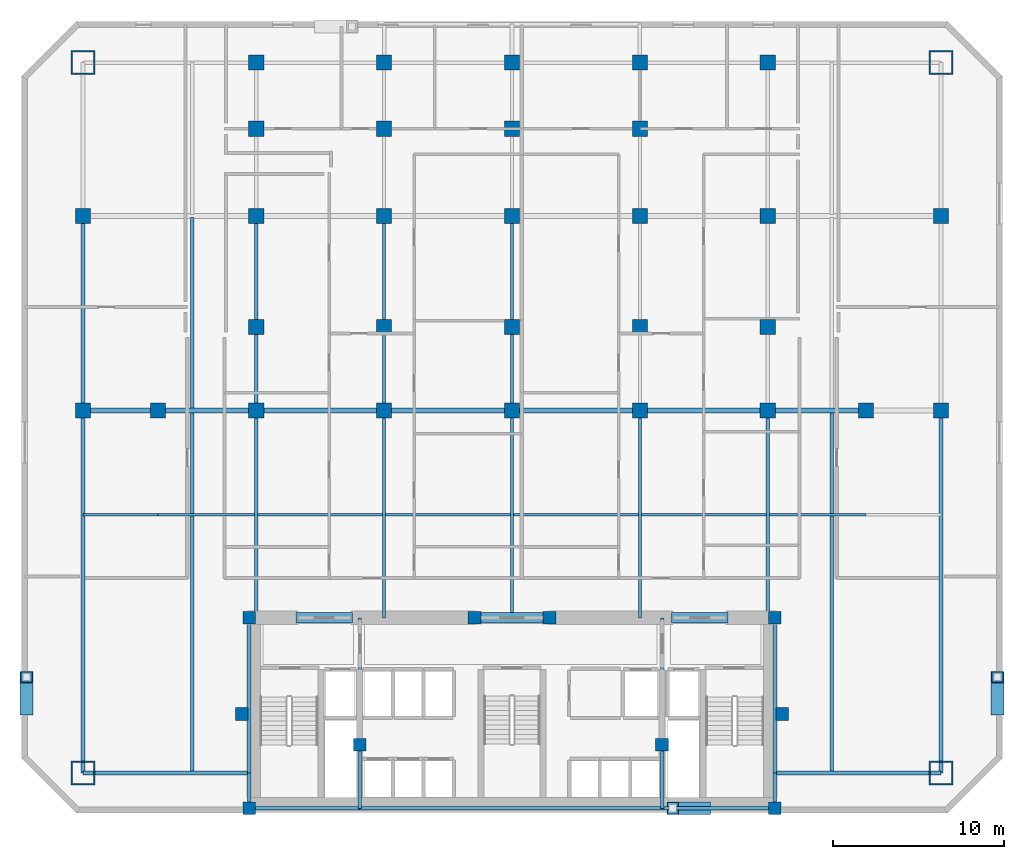
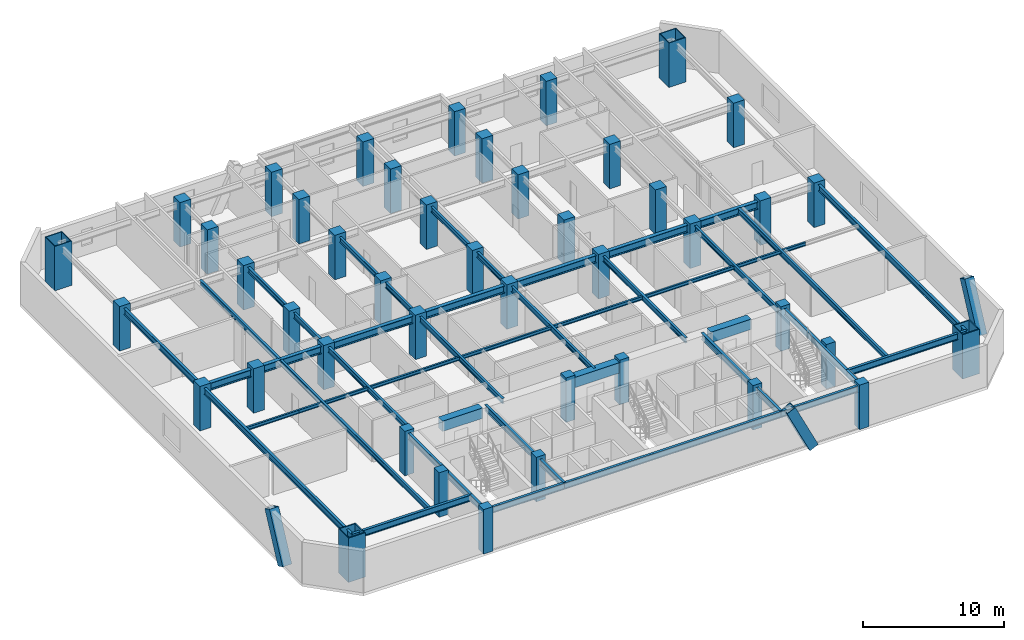
# One storey, part 1 of 8: 44 beams, 44 columns, 3 members.
"""IFC4 building model written with IfcOpenShell, lengths in metres."""

from ifc_helpers import new_model, si_unit, direction, frame, origin, origin_2d, place, context, subcontext, project, spatial, rectangle, hollow_rectangle, i_section, extrude, material, material_profile, profile_set, type_object, element, save


model = new_model("IFC4")

# Units and contexts
model_context = context("Model", 3, precision=1e-05, world=origin(), true_north=direction((0.0, 1.0)))
body_context = subcontext(model_context, "Body", "Model", "MODEL_VIEW")
ifc_project = project(units=[si_unit("LENGTHUNIT", "METRE"), si_unit("AREAUNIT", "SQUARE_METRE"), si_unit("VOLUMEUNIT", "CUBIC_METRE"), si_unit("PLANEANGLEUNIT", "RADIAN"), si_unit("MASSUNIT", "GRAM", prefix="KILO")], contexts=[model_context])

# Site, building, storey
site_placement = place(None, origin())
site = spatial("IfcSite", under=ifc_project, at=site_placement, CompositionType="ELEMENT")
building_placement = place(site_placement, origin())
building = spatial("IfcBuilding", under=site, at=building_placement, Name="Ventersveld Concourse Tower", CompositionType="ELEMENT")
storey_placement = place(building_placement, frame((0.0, 0.0, 37.5)))
storey = spatial("IfcBuildingStorey", under=building, at=storey_placement, Name="L08", CompositionType="ELEMENT", Elevation=37.5)

# Columns
ifc_material_1 = material(Name="Concrete C50/60", Category="concrete")
ifc_material_profile_1 = material_profile(ifc_material_1, rectangle(XDim=0.75, YDim=0.75, at=origin_2d()), Name="RC 750x750")
ifc_profile_set_1 = profile_set([ifc_material_profile_1], Name="Concrete C50/60")
column_type_1 = type_object("IfcColumnType", Name="COL-RC750", PredefinedType="COLUMN", material=ifc_profile_set_1)
for number, where, z_axis, x_axis, name in (
    (1, (13.35009765625, 0.280029296875, 0.0), (0.0, 0.0, 1.0), (1.0, 0.0, 0.0), "L08 Core Spine Column CC-SW"),
    (2, (44.14990234375, 0.280029296875, 0.0), (0.0, 0.0, 1.0), (1.0, 0.0, 0.0), "L08 Core Spine Column CC-SE"),
    (3, (13.35009765625, 11.449951171875, 0.0), (0.0, 0.0, 1.0), (1.0, 0.0, 0.0), "L08 Core Spine Column CC-NW"),
    (4, (44.14990234375, 11.449951171875, 0.0), (0.0, 0.0, 1.0), (1.0, 0.0, 0.0), "L08 Core Spine Column CC-NE"),
    (5, (19.820068359375, 4.0, 0.0), (0.0, 0.0, 1.0), (1.0, 0.0, 0.0), "L08 Core Spine Column CM-1"),
    (6, (37.550048828125, 4.0, 0.0), (0.0, 0.0, 1.0), (1.0, 0.0, 0.0), "L08 Core Spine Column CM-2"),
    (7, (26.550048828125, 11.449951171875, 0.0), (0.0, 0.0, 1.0), (1.0, 0.0, 0.0), "L08 Core Spine Column CM-3"),
    (8, (30.949951171875, 11.449951171875, 0.0), (0.0, 0.0, 1.0), (1.0, 0.0, 0.0), "L08 Core Spine Column CM-4"),
):
    element("IfcColumn", number, at=place(storey_placement, frame(where, z_axis=z_axis, x_axis=x_axis)), inside=storey, type_object=column_type_1, Name=name, PredefinedType="COLUMN", context=body_context, shape_type="SweptSolid", body=[
        extrude(rectangle(XDim=0.75, YDim=0.75, at=origin_2d()), origin(), (0.0, 0.0, 1.0), 3.85009765625),
    ])
ifc_material_2 = material(Name="Concrete C60/75", Category="concrete")
ifc_material_profile_2 = material_profile(ifc_material_2, rectangle(XDim=0.89990234375, YDim=0.89990234375, at=origin_2d()), Name="RC 900x900")
ifc_profile_set_2 = profile_set([ifc_material_profile_2], Name="Concrete C60/75")
column_type_2 = type_object("IfcColumnType", Name="COL-RC900", PredefinedType="COLUMN", material=ifc_profile_set_2)
for number, where, z_axis, x_axis, name in (
    (9, (3.60009765625, 23.60009765625, 0.0), (0.0, 0.0, 1.0), (1.0, 0.0, 0.0), "L08 Interior Gravity Column X=3.60 Y=23.60"),
    (10, (8.0, 23.60009765625, 0.0), (0.0, 0.0, 1.0), (1.0, 0.0, 0.0), "L08 Interior Gravity Column X=8.00 Y=23.60"),
    (11, (13.75, 23.60009765625, 0.0), (0.0, 0.0, 1.0), (1.0, 0.0, 0.0), "L08 Interior Gravity Column X=13.75 Y=23.60"),
    (12, (21.25, 23.60009765625, 0.0), (0.0, 0.0, 1.0), (1.0, 0.0, 0.0), "L08 Interior Gravity Column X=21.25 Y=23.60"),
    (13, (28.75, 23.60009765625, 0.0), (0.0, 0.0, 1.0), (1.0, 0.0, 0.0), "L08 Interior Gravity Column X=28.75 Y=23.60"),
    (14, (36.25, 23.60009765625, 0.0), (0.0, 0.0, 1.0), (1.0, 0.0, 0.0), "L08 Interior Gravity Column X=36.25 Y=23.60"),
    (15, (43.75, 23.60009765625, 0.0), (0.0, 0.0, 1.0), (1.0, 0.0, 0.0), "L08 Interior Gravity Column X=43.75 Y=23.60"),
    (16, (49.5, 23.60009765625, 0.0), (0.0, 0.0, 1.0), (1.0, 0.0, 0.0), "L08 Interior Gravity Column X=49.50 Y=23.60"),
    (17, (53.89990234375, 23.60009765625, 0.0), (0.0, 0.0, 1.0), (1.0, 0.0, 0.0), "L08 Interior Gravity Column X=53.90 Y=23.60"),
    (18, (13.75, 28.5, 0.0), (0.0, 0.0, 1.0), (1.0, 0.0, 0.0), "L08 Upper-North Gravity Column X=13.75 Y=28.50"),
    (19, (21.25, 28.5, 0.0), (0.0, 0.0, 1.0), (1.0, 0.0, 0.0), "L08 Upper-North Gravity Column X=21.25 Y=28.50"),
    (20, (28.75, 28.5, 0.0), (0.0, 0.0, 1.0), (1.0, 0.0, 0.0), "L08 Upper-North Gravity Column X=28.75 Y=28.50"),
    (21, (36.25, 28.5, 0.0), (0.0, 0.0, 1.0), (1.0, 0.0, 0.0), "L08 Upper-North Gravity Column X=36.25 Y=28.50"),
    (22, (43.75, 28.5, 0.0), (0.0, 0.0, 1.0), (1.0, 0.0, 0.0), "L08 Upper-North Gravity Column X=43.75 Y=28.50"),
    (23, (3.60009765625, 35.0, 0.0), (0.0, 0.0, 1.0), (1.0, 0.0, 0.0), "L08 Flank Column X=3.60 Y=35.00"),
    (24, (53.89990234375, 35.0, 0.0), (0.0, 0.0, 1.0), (1.0, 0.0, 0.0), "L08 Flank Column X=53.90 Y=35.00"),
    (25, (13.75, 44.0, 0.0), (0.0, 0.0, 1.0), (1.0, 0.0, 0.0), "L08 North Perimeter Column X=13.75 Y=44.00"),
    (26, (21.25, 44.0, 0.0), (0.0, 0.0, 1.0), (1.0, 0.0, 0.0), "L08 North Perimeter Column X=21.25 Y=44.00"),
    (27, (28.75, 44.0, 0.0), (0.0, 0.0, 1.0), (1.0, 0.0, 0.0), "L08 North Perimeter Column X=28.75 Y=44.00"),
    (28, (36.25, 44.0, 0.0), (0.0, 0.0, 1.0), (1.0, 0.0, 0.0), "L08 North Perimeter Column X=36.25 Y=44.00"),
    (29, (43.75, 44.0, 0.0), (0.0, 0.0, 1.0), (1.0, 0.0, 0.0), "L08 North Perimeter Column X=43.75 Y=44.00"),
    (30, (13.75, 40.1201171875, 0.0), (0.0, 0.0, 1.0), (1.0, 0.0, 0.0), "L08 North Brace Node Column X=13.75 Y=40.12"),
    (31, (21.25, 40.1201171875, 0.0), (0.0, 0.0, 1.0), (1.0, 0.0, 0.0), "L08 North Brace Node Column X=21.25 Y=40.12"),
    (32, (28.75, 40.1201171875, 0.0), (0.0, 0.0, 1.0), (1.0, 0.0, 0.0), "L08 North Brace Node Column X=28.75 Y=40.12"),
    (33, (36.25, 40.1201171875, 0.0), (0.0, 0.0, 1.0), (1.0, 0.0, 0.0), "L08 North Brace Node Column X=36.25 Y=40.12"),
    (34, (13.75, 35.0, 0.0), (0.0, 0.0, 1.0), (1.0, 0.0, 0.0), "L08 Mid-North Column X=13.75 Y=35.00"),
    (35, (21.25, 35.0, 0.0), (0.0, 0.0, 1.0), (1.0, 0.0, 0.0), "L08 Mid-North Column X=21.25 Y=35.00"),
    (36, (28.75, 35.0, 0.0), (0.0, 0.0, 1.0), (1.0, 0.0, 0.0), "L08 Mid-North Column X=28.75 Y=35.00"),
    (37, (36.25, 35.0, 0.0), (0.0, 0.0, 1.0), (1.0, 0.0, 0.0), "L08 Mid-North Column X=36.25 Y=35.00"),
    (38, (43.75, 35.0, 0.0), (0.0, 0.0, 1.0), (1.0, 0.0, 0.0), "L08 Mid-North Column X=43.75 Y=35.00"),
):
    element("IfcColumn", number, at=place(storey_placement, frame(where, z_axis=z_axis, x_axis=x_axis)), inside=storey, type_object=column_type_2, Name=name, PredefinedType="COLUMN", context=body_context, shape_type="SweptSolid", body=[
        extrude(rectangle(XDim=0.89990234375, YDim=0.89990234375, at=origin_2d()), origin(), (0.0, 0.0, 1.0), 3.85009765625),
    ])
ifc_material_3 = material(Name="Structural steel S460ML", Category="steel")
ifc_material_profile_3 = material_profile(ifc_material_3, hollow_rectangle(XDim=1.39990234375, YDim=1.39990234375, WallThickness=0.080078125, at=origin_2d()), Name="BOX 1400x1400x80")
ifc_profile_set_3 = profile_set([ifc_material_profile_3], Name="Structural steel S460ML")
column_type_3 = type_object("IfcColumnType", Name="MC-1400", PredefinedType="USERDEFINED", material=ifc_profile_set_3)
for number, where, z_axis, x_axis, name in (
    (39, (3.60009765625, 2.35009765625, 0.0), (0.0, 0.0, 1.0), (1.0, 0.0, 0.0), "L08 Corner Mega-Column MC-SW"),
    (40, (53.89990234375, 2.35009765625, 0.0), (0.0, 0.0, 1.0), (1.0, 0.0, 0.0), "L08 Corner Mega-Column MC-SE"),
    (41, (53.89990234375, 44.0, 0.0), (0.0, 0.0, 1.0), (1.0, 0.0, 0.0), "L08 Corner Mega-Column MC-NE"),
    (42, (3.60009765625, 44.0, 0.0), (0.0, 0.0, 1.0), (1.0, 0.0, 0.0), "L08 Corner Mega-Column MC-NW"),
):
    element("IfcColumn", number, at=place(storey_placement, frame(where, z_axis=z_axis, x_axis=x_axis)), inside=storey, type_object=column_type_3, Name=name, ObjectType="MEGA_COLUMN", PredefinedType="USERDEFINED", context=body_context, shape_type="SweptSolid", body=[
        extrude(hollow_rectangle(XDim=1.39990234375, YDim=1.39990234375, WallThickness=0.080078125, at=origin_2d()), origin(), (0.0, 0.0, 1.0), 3.85009765625),
    ])
ifc_material_profile_4 = material_profile(ifc_material_1, rectangle(XDim=0.75, YDim=0.75, at=origin_2d()), Name="RC 750x750")
ifc_profile_set_4 = profile_set([ifc_material_profile_4], Name="Concrete C50/60")
column_type_4 = type_object("IfcColumnType", Name="PIL-RC750", PredefinedType="PILASTER", material=ifc_profile_set_4)
for number, where, z_axis, x_axis, name in (
    (43, (12.89990234375, 5.800048828125, 0.0), (0.0, 0.0, 1.0), (1.0, 0.0, 0.0), "L08 Core Engaged Pilaster PIL-W"),
    (44, (44.60009765625, 5.800048828125, 0.0), (0.0, 0.0, 1.0), (1.0, 0.0, 0.0), "L08 Core Engaged Pilaster PIL-E"),
):
    element("IfcColumn", number, at=place(storey_placement, frame(where, z_axis=z_axis, x_axis=x_axis)), inside=storey, type_object=column_type_4, Name=name, PredefinedType="PILASTER", context=body_context, shape_type="SweptSolid", body=[
        extrude(rectangle(XDim=0.75, YDim=0.75, at=origin_2d()), origin(), (0.0, 0.0, 1.0), 3.85009765625),
    ])

# Beams
ifc_material_4 = material(Name="Structural steel S355J2", Category="steel")
ifc_material_profile_5 = material_profile(ifc_material_4, i_section(OverallWidth=0.19140625, OverallDepth=0.4599609375, WebThickness=0.010009765625, FlangeThickness=0.01611328125, FilletRadius=0.01025390625, at=origin_2d()), Name="UB 457x191x82")
ifc_profile_set_5 = profile_set([ifc_material_profile_5], Name="Structural steel S355J2")
beam_type_1 = type_object("IfcBeamType", Name="BM-UB457H", PredefinedType="BEAM", material=ifc_profile_set_5)
beam_1_placement = place(storey_placement, frame((10.0, 2.35009765625, 3.3701171875), z_axis=(0.0, 1.0, 0.0), x_axis=(-1.0, 0.0, 0.0)))
element("IfcBeam", 45, at=beam_1_placement, inside=storey, type_object=beam_type_1, Name="L08 N-S Composite Floor Beam South X=10.00", PredefinedType="BEAM", context=body_context, shape_type="SweptSolid", body=[
    extrude(i_section(OverallWidth=0.19140625, OverallDepth=0.4599609375, WebThickness=0.010009765625, FlangeThickness=0.01611328125, FilletRadius=0.01025390625, at=origin_2d()), origin(), (0.0, 0.0, 1.0), 21.15478515625),
])
beam_2_placement = place(storey_placement, frame((10.0, 23.695068359375, 3.3701171875), z_axis=(0.0, 1.0, 0.0), x_axis=(-1.0, 0.0, 0.0)))
element("IfcBeam", 46, at=beam_2_placement, inside=storey, type_object=beam_type_1, Name="L08 N-S Composite Floor Beam Mid X=10.00", PredefinedType="BEAM", context=body_context, shape_type="SweptSolid", body=[
    extrude(i_section(OverallWidth=0.19140625, OverallDepth=0.4599609375, WebThickness=0.010009765625, FlangeThickness=0.01611328125, FilletRadius=0.01025390625, at=origin_2d()), origin(), (0.0, 0.0, 1.0), 11.2099609375),
])
beam_3_placement = place(storey_placement, frame((13.75, 11.449951171875, 3.3701171875), z_axis=(0.0, 1.0, 0.0), x_axis=(-1.0, 0.0, 0.0)))
element("IfcBeam", 47, at=beam_3_placement, inside=storey, type_object=beam_type_1, Name="L08 N-S Composite Floor Beam South X=13.75", PredefinedType="BEAM", context=body_context, shape_type="SweptSolid", body=[
    extrude(i_section(OverallWidth=0.19140625, OverallDepth=0.4599609375, WebThickness=0.010009765625, FlangeThickness=0.01611328125, FilletRadius=0.01025390625, at=origin_2d()), origin(), (0.0, 0.0, 1.0), 12.150146484375),
])
beam_4_placement = place(storey_placement, frame((13.75, 23.60009765625, 3.3701171875), z_axis=(0.0, 1.0, 0.0), x_axis=(-1.0, 0.0, 0.0)))
element("IfcBeam", 48, at=beam_4_placement, inside=storey, type_object=beam_type_1, Name="L08 N-S Composite Floor Beam Mid X=13.75", PredefinedType="BEAM", context=body_context, shape_type="SweptSolid", body=[
    extrude(i_section(OverallWidth=0.19140625, OverallDepth=0.4599609375, WebThickness=0.010009765625, FlangeThickness=0.01611328125, FilletRadius=0.01025390625, at=origin_2d()), origin(), (0.0, 0.0, 1.0), 11.39990234375),
])
beam_5_placement = place(storey_placement, frame((21.25, 11.449951171875, 3.3701171875), z_axis=(0.0, 1.0, 0.0), x_axis=(-1.0, 0.0, 0.0)))
element("IfcBeam", 49, at=beam_5_placement, inside=storey, type_object=beam_type_1, Name="L08 N-S Composite Floor Beam South X=21.25", PredefinedType="BEAM", context=body_context, shape_type="SweptSolid", body=[
    extrude(i_section(OverallWidth=0.19140625, OverallDepth=0.4599609375, WebThickness=0.010009765625, FlangeThickness=0.01611328125, FilletRadius=0.01025390625, at=origin_2d()), origin(), (0.0, 0.0, 1.0), 12.150146484375),
])
beam_6_placement = place(storey_placement, frame((21.25, 23.60009765625, 3.3701171875), z_axis=(0.0, 1.0, 0.0), x_axis=(-1.0, 0.0, 0.0)))
element("IfcBeam", 50, at=beam_6_placement, inside=storey, type_object=beam_type_1, Name="L08 N-S Composite Floor Beam Mid X=21.25", PredefinedType="BEAM", context=body_context, shape_type="SweptSolid", body=[
    extrude(i_section(OverallWidth=0.19140625, OverallDepth=0.4599609375, WebThickness=0.010009765625, FlangeThickness=0.01611328125, FilletRadius=0.01025390625, at=origin_2d()), origin(), (0.0, 0.0, 1.0), 11.39990234375),
])
beam_7_placement = place(storey_placement, frame((28.75, 11.449951171875, 3.3701171875), z_axis=(0.0, 1.0, 0.0), x_axis=(-1.0, 0.0, 0.0)))
element("IfcBeam", 51, at=beam_7_placement, inside=storey, type_object=beam_type_1, Name="L08 N-S Composite Floor Beam South X=28.75", PredefinedType="BEAM", context=body_context, shape_type="SweptSolid", body=[
    extrude(i_section(OverallWidth=0.19140625, OverallDepth=0.4599609375, WebThickness=0.010009765625, FlangeThickness=0.01611328125, FilletRadius=0.01025390625, at=origin_2d()), origin(), (0.0, 0.0, 1.0), 12.150146484375),
])
beam_8_placement = place(storey_placement, frame((28.75, 23.60009765625, 3.3701171875), z_axis=(0.0, 1.0, 0.0), x_axis=(-1.0, 0.0, 0.0)))
element("IfcBeam", 52, at=beam_8_placement, inside=storey, type_object=beam_type_1, Name="L08 N-S Composite Floor Beam Mid X=28.75", PredefinedType="BEAM", context=body_context, shape_type="SweptSolid", body=[
    extrude(i_section(OverallWidth=0.19140625, OverallDepth=0.4599609375, WebThickness=0.010009765625, FlangeThickness=0.01611328125, FilletRadius=0.01025390625, at=origin_2d()), origin(), (0.0, 0.0, 1.0), 11.39990234375),
])
for number, where, z_axis, x_axis, name in (
    (53, (36.25, 11.449951171875, 3.3701171875), (0.0, 1.0, 0.0), (-1.0, 0.0, 0.0), "L08 N-S Composite Floor Beam South X=36.25"),
    (54, (43.75, 11.449951171875, 3.3701171875), (0.0, 1.0, 0.0), (-1.0, 0.0, 0.0), "L08 N-S Composite Floor Beam South X=43.75"),
):
    element("IfcBeam", number, at=place(storey_placement, frame(where, z_axis=z_axis, x_axis=x_axis)), inside=storey, type_object=beam_type_1, Name=name, PredefinedType="BEAM", context=body_context, shape_type="SweptSolid", body=[
        extrude(i_section(OverallWidth=0.19140625, OverallDepth=0.4599609375, WebThickness=0.010009765625, FlangeThickness=0.01611328125, FilletRadius=0.01025390625, at=origin_2d()), origin(), (0.0, 0.0, 1.0), 12.150146484375),
    ])
beam_9_placement = place(storey_placement, frame((47.5, 2.35009765625, 3.3701171875), z_axis=(0.0, 1.0, 0.0), x_axis=(-1.0, 0.0, 0.0)))
element("IfcBeam", 55, at=beam_9_placement, inside=storey, type_object=beam_type_1, Name="L08 N-S Composite Floor Beam South X=47.50", PredefinedType="BEAM", context=body_context, shape_type="SweptSolid", body=[
    extrude(i_section(OverallWidth=0.19140625, OverallDepth=0.4599609375, WebThickness=0.010009765625, FlangeThickness=0.01611328125, FilletRadius=0.01025390625, at=origin_2d()), origin(), (0.0, 0.0, 1.0), 21.15478515625),
])
ifc_material_profile_6 = material_profile(ifc_material_2, rectangle(XDim=0.60009765625, YDim=0.89990234375, at=origin_2d()), Name="RC 600x900")
ifc_profile_set_6 = profile_set([ifc_material_profile_6], Name="Concrete C60/75")
beam_type_2 = type_object("IfcBeamType", Name="CB-RC600x900L", PredefinedType="LINTEL", material=ifc_profile_set_6)
beam_10_placement = place(storey_placement, frame((16.10009765625, 11.449951171875, 3.14990234375), z_axis=(1.0, 0.0, 0.0), x_axis=(0.0, 1.0, 0.0)))
element("IfcBeam", 56, at=beam_10_placement, inside=storey, type_object=beam_type_2, Name="L08 Core Coupling Lintel Beam 1", PredefinedType="LINTEL", context=body_context, shape_type="SweptSolid", body=[
    extrude(rectangle(XDim=0.60009765625, YDim=0.89990234375, at=origin_2d()), origin(), (0.0, 0.0, 1.0), 3.2998046875),
])
beam_11_placement = place(storey_placement, frame((26.5, 11.449951171875, 3.14990234375), z_axis=(1.0, 0.0, 0.0), x_axis=(0.0, 1.0, 0.0)))
element("IfcBeam", 57, at=beam_11_placement, inside=storey, type_object=beam_type_2, Name="L08 Core Coupling Lintel Beam 2", PredefinedType="LINTEL", context=body_context, shape_type="SweptSolid", body=[
    extrude(rectangle(XDim=0.60009765625, YDim=0.89990234375, at=origin_2d()), origin(), (0.0, 0.0, 1.0), 4.5),
])
beam_12_placement = place(storey_placement, frame((38.10009765625, 11.449951171875, 3.14990234375), z_axis=(1.0, 0.0, 0.0), x_axis=(0.0, 1.0, 0.0)))
element("IfcBeam", 58, at=beam_12_placement, inside=storey, type_object=beam_type_2, Name="L08 Core Coupling Lintel Beam 3", PredefinedType="LINTEL", context=body_context, shape_type="SweptSolid", body=[
    extrude(rectangle(XDim=0.60009765625, YDim=0.89990234375, at=origin_2d()), origin(), (0.0, 0.0, 1.0), 3.2998046875),
])
ifc_material_profile_7 = material_profile(ifc_material_4, i_section(OverallWidth=0.2119140625, OverallDepth=0.54443359375, WebThickness=0.0126953125, FlangeThickness=0.021240234375, FilletRadius=0.0126953125, at=origin_2d()), Name="UB 533x210x122")
ifc_profile_set_7 = profile_set([ifc_material_profile_7], Name="Structural steel S355J2")
beam_type_3 = type_object("IfcBeamType", Name="GRD-UB533H", PredefinedType="T_BEAM", material=ifc_profile_set_7)
beam_13_placement = place(storey_placement, frame((13.35009765625, 0.280029296875, 3.327880859375), z_axis=(0.0, 1.0, 0.0), x_axis=(-1.0, 0.0, 0.0)))
element("IfcBeam", 59, at=beam_13_placement, inside=storey, type_object=beam_type_3, Name="L08 Core West Tie Beam S", PredefinedType="T_BEAM", context=body_context, shape_type="SweptSolid", body=[
    extrude(i_section(OverallWidth=0.2119140625, OverallDepth=0.54443359375, WebThickness=0.0126953125, FlangeThickness=0.021240234375, FilletRadius=0.0126953125, at=origin_2d()), origin(), (0.0, 0.0, 1.0), 2.070068359375),
])
beam_14_placement = place(storey_placement, frame((13.35009765625, 2.35009765625, 3.327880859375), z_axis=(0.0, 1.0, 0.0), x_axis=(-1.0, 0.0, 0.0)))
element("IfcBeam", 60, at=beam_14_placement, inside=storey, type_object=beam_type_3, Name="L08 Core West Tie Beam N", PredefinedType="T_BEAM", context=body_context, shape_type="SweptSolid", body=[
    extrude(i_section(OverallWidth=0.2119140625, OverallDepth=0.54443359375, WebThickness=0.0126953125, FlangeThickness=0.021240234375, FilletRadius=0.0126953125, at=origin_2d()), origin(), (0.0, 0.0, 1.0), 9.099853515625),
])
beam_15_placement = place(storey_placement, frame((44.14990234375, 0.280029296875, 3.327880859375), z_axis=(0.0, 1.0, 0.0), x_axis=(-1.0, 0.0, 0.0)))
element("IfcBeam", 61, at=beam_15_placement, inside=storey, type_object=beam_type_3, Name="L08 Core East Tie Beam S", PredefinedType="T_BEAM", context=body_context, shape_type="SweptSolid", body=[
    extrude(i_section(OverallWidth=0.2119140625, OverallDepth=0.54443359375, WebThickness=0.0126953125, FlangeThickness=0.021240234375, FilletRadius=0.0126953125, at=origin_2d()), origin(), (0.0, 0.0, 1.0), 2.070068359375),
])
beam_16_placement = place(storey_placement, frame((44.14990234375, 2.35009765625, 3.327880859375), z_axis=(0.0, 1.0, 0.0), x_axis=(-1.0, 0.0, 0.0)))
element("IfcBeam", 62, at=beam_16_placement, inside=storey, type_object=beam_type_3, Name="L08 Core East Tie Beam N", PredefinedType="T_BEAM", context=body_context, shape_type="SweptSolid", body=[
    extrude(i_section(OverallWidth=0.2119140625, OverallDepth=0.54443359375, WebThickness=0.0126953125, FlangeThickness=0.021240234375, FilletRadius=0.0126953125, at=origin_2d()), origin(), (0.0, 0.0, 1.0), 9.099853515625),
])
beam_17_placement = place(storey_placement, frame((13.35009765625, 0.280029296875, 3.327880859375), z_axis=(1.0, 0.0, 0.0), x_axis=(0.0, 1.0, 0.0)))
element("IfcBeam", 63, at=beam_17_placement, inside=storey, type_object=beam_type_3, Name="L08 Core South Tie Beam W", PredefinedType="T_BEAM", context=body_context, shape_type="SweptSolid", body=[
    extrude(i_section(OverallWidth=0.2119140625, OverallDepth=0.54443359375, WebThickness=0.0126953125, FlangeThickness=0.021240234375, FilletRadius=0.0126953125, at=origin_2d()), origin(), (0.0, 0.0, 1.0), 6.469970703125),
])
beam_18_placement = place(storey_placement, frame((19.820068359375, 0.280029296875, 3.327880859375), z_axis=(1.0, 0.0, 0.0), x_axis=(0.0, 1.0, 0.0)))
element("IfcBeam", 64, at=beam_18_placement, inside=storey, type_object=beam_type_3, Name="L08 Core South Tie Beam C", PredefinedType="T_BEAM", context=body_context, shape_type="SweptSolid", body=[
    extrude(i_section(OverallWidth=0.2119140625, OverallDepth=0.54443359375, WebThickness=0.0126953125, FlangeThickness=0.021240234375, FilletRadius=0.0126953125, at=origin_2d()), origin(), (0.0, 0.0, 1.0), 17.72998046875),
])
beam_19_placement = place(storey_placement, frame((37.550048828125, 0.280029296875, 3.327880859375), z_axis=(1.0, 0.0, 0.0), x_axis=(0.0, 1.0, 0.0)))
element("IfcBeam", 65, at=beam_19_placement, inside=storey, type_object=beam_type_3, Name="L08 Core South Tie Beam E", PredefinedType="T_BEAM", context=body_context, shape_type="SweptSolid", body=[
    extrude(i_section(OverallWidth=0.2119140625, OverallDepth=0.54443359375, WebThickness=0.0126953125, FlangeThickness=0.021240234375, FilletRadius=0.0126953125, at=origin_2d()), origin(), (0.0, 0.0, 1.0), 6.599853515625),
])
beam_20_placement = place(storey_placement, frame((19.820068359375, 0.280029296875, 3.327880859375), z_axis=(0.0, 1.0, 0.0), x_axis=(-1.0, 0.0, 0.0)))
element("IfcBeam", 66, at=beam_20_placement, inside=storey, type_object=beam_type_3, Name="L08 Core Spine N-S Tie Beam W1", PredefinedType="T_BEAM", context=body_context, shape_type="SweptSolid", body=[
    extrude(i_section(OverallWidth=0.2119140625, OverallDepth=0.54443359375, WebThickness=0.0126953125, FlangeThickness=0.021240234375, FilletRadius=0.0126953125, at=origin_2d()), origin(), (0.0, 0.0, 1.0), 3.719970703125),
])
beam_21_placement = place(storey_placement, frame((19.820068359375, 4.0, 3.327880859375), z_axis=(0.0, 1.0, 0.0), x_axis=(-1.0, 0.0, 0.0)))
element("IfcBeam", 67, at=beam_21_placement, inside=storey, type_object=beam_type_3, Name="L08 Core Spine N-S Tie Beam W2", PredefinedType="T_BEAM", context=body_context, shape_type="SweptSolid", body=[
    extrude(i_section(OverallWidth=0.2119140625, OverallDepth=0.54443359375, WebThickness=0.0126953125, FlangeThickness=0.021240234375, FilletRadius=0.0126953125, at=origin_2d()), origin(), (0.0, 0.0, 1.0), 7.449951171875),
])
beam_22_placement = place(storey_placement, frame((37.550048828125, 0.280029296875, 3.327880859375), z_axis=(0.0, 1.0, 0.0), x_axis=(-1.0, 0.0, 0.0)))
element("IfcBeam", 68, at=beam_22_placement, inside=storey, type_object=beam_type_3, Name="L08 Core Spine N-S Tie Beam E1", PredefinedType="T_BEAM", context=body_context, shape_type="SweptSolid", body=[
    extrude(i_section(OverallWidth=0.2119140625, OverallDepth=0.54443359375, WebThickness=0.0126953125, FlangeThickness=0.021240234375, FilletRadius=0.0126953125, at=origin_2d()), origin(), (0.0, 0.0, 1.0), 3.719970703125),
])
beam_23_placement = place(storey_placement, frame((37.550048828125, 4.0, 3.327880859375), z_axis=(0.0, 1.0, 0.0), x_axis=(-1.0, 0.0, 0.0)))
element("IfcBeam", 69, at=beam_23_placement, inside=storey, type_object=beam_type_3, Name="L08 Core Spine N-S Tie Beam E2", PredefinedType="T_BEAM", context=body_context, shape_type="SweptSolid", body=[
    extrude(i_section(OverallWidth=0.2119140625, OverallDepth=0.54443359375, WebThickness=0.0126953125, FlangeThickness=0.021240234375, FilletRadius=0.0126953125, at=origin_2d()), origin(), (0.0, 0.0, 1.0), 7.449951171875),
])
ifc_material_profile_8 = material_profile(ifc_material_4, i_section(OverallWidth=0.311279296875, OverallDepth=0.6357421875, WebThickness=0.018310546875, FlangeThickness=0.031494140625, FilletRadius=0.0166015625, at=origin_2d()), Name="UB 610x305x238")
ifc_profile_set_8 = profile_set([ifc_material_profile_8], Name="Structural steel S355J2")
beam_type_4 = type_object("IfcBeamType", Name="GRD-UB610H", PredefinedType="USERDEFINED", material=ifc_profile_set_8)
beam_24_placement = place(storey_placement, frame((3.60009765625, 23.60009765625, 3.281982421875), z_axis=(1.0, 0.0, 0.0), x_axis=(0.0, 1.0, 0.0)))
element("IfcBeam", 70, at=beam_24_placement, inside=storey, type_object=beam_type_4, Name="L08 Primary E-W Grid Girder Y=23.60 #1", ObjectType="GIRDER", PredefinedType="USERDEFINED", context=body_context, shape_type="SweptSolid", body=[
    extrude(i_section(OverallWidth=0.311279296875, OverallDepth=0.6357421875, WebThickness=0.018310546875, FlangeThickness=0.031494140625, FilletRadius=0.0166015625, at=origin_2d()), origin(), (0.0, 0.0, 1.0), 4.39990234375),
])
beam_25_placement = place(storey_placement, frame((8.0, 23.60009765625, 3.281982421875), z_axis=(1.0, 0.0, 0.0), x_axis=(0.0, 1.0, 0.0)))
element("IfcBeam", 71, at=beam_25_placement, inside=storey, type_object=beam_type_4, Name="L08 Primary E-W Grid Girder Y=23.60 #2", ObjectType="GIRDER", PredefinedType="USERDEFINED", context=body_context, shape_type="SweptSolid", body=[
    extrude(i_section(OverallWidth=0.311279296875, OverallDepth=0.6357421875, WebThickness=0.018310546875, FlangeThickness=0.031494140625, FilletRadius=0.0166015625, at=origin_2d()), origin(), (0.0, 0.0, 1.0), 5.75),
])
for number, where, z_axis, x_axis, name in (
    (72, (13.75, 23.60009765625, 3.281982421875), (1.0, 0.0, 0.0), (0.0, 1.0, 0.0), "L08 Primary E-W Grid Girder Y=23.60 #3"),
    (73, (21.25, 23.60009765625, 3.281982421875), (1.0, 0.0, 0.0), (0.0, 1.0, 0.0), "L08 Primary E-W Grid Girder Y=23.60 #4"),
    (74, (28.75, 23.60009765625, 3.281982421875), (1.0, 0.0, 0.0), (0.0, 1.0, 0.0), "L08 Primary E-W Grid Girder Y=23.60 #5"),
    (75, (36.25, 23.60009765625, 3.281982421875), (1.0, 0.0, 0.0), (0.0, 1.0, 0.0), "L08 Primary E-W Grid Girder Y=23.60 #6"),
):
    element("IfcBeam", number, at=place(storey_placement, frame(where, z_axis=z_axis, x_axis=x_axis)), inside=storey, type_object=beam_type_4, Name=name, ObjectType="GIRDER", PredefinedType="USERDEFINED", context=body_context, shape_type="SweptSolid", body=[
        extrude(i_section(OverallWidth=0.311279296875, OverallDepth=0.6357421875, WebThickness=0.018310546875, FlangeThickness=0.031494140625, FilletRadius=0.0166015625, at=origin_2d()), origin(), (0.0, 0.0, 1.0), 7.5),
    ])
beam_26_placement = place(storey_placement, frame((43.75, 23.60009765625, 3.281982421875), z_axis=(1.0, 0.0, 0.0), x_axis=(0.0, 1.0, 0.0)))
element("IfcBeam", 76, at=beam_26_placement, inside=storey, type_object=beam_type_4, Name="L08 Primary E-W Grid Girder Y=23.60 #7", ObjectType="GIRDER", PredefinedType="USERDEFINED", context=body_context, shape_type="SweptSolid", body=[
    extrude(i_section(OverallWidth=0.311279296875, OverallDepth=0.6357421875, WebThickness=0.018310546875, FlangeThickness=0.031494140625, FilletRadius=0.0166015625, at=origin_2d()), origin(), (0.0, 0.0, 1.0), 5.75),
])
ifc_material_profile_9 = material_profile(ifc_material_4, i_section(OverallWidth=0.14990234375, OverallDepth=0.300048828125, WebThickness=0.007080078125, FlangeThickness=0.0107421875, FilletRadius=0.014892578125, at=origin_2d()), Name="IPE 300")
ifc_profile_set_9 = profile_set([ifc_material_profile_9], Name="Structural steel S355J2")
beam_type_5 = type_object("IfcBeamType", Name="JST-IPE300", PredefinedType="JOIST", material=ifc_profile_set_9)
beam_27_placement = place(storey_placement, frame((3.60009765625, 17.5, 3.449951171875), z_axis=(1.0, 0.0, 0.0), x_axis=(0.0, 1.0, 0.0)))
element("IfcBeam", 77, at=beam_27_placement, inside=storey, type_object=beam_type_5, Name="L08 Secondary E-W Floor Joist Y=17.50 #1", PredefinedType="JOIST", context=body_context, shape_type="SweptSolid", body=[
    extrude(i_section(OverallWidth=0.14990234375, OverallDepth=0.300048828125, WebThickness=0.007080078125, FlangeThickness=0.0107421875, FilletRadius=0.014892578125, at=origin_2d()), origin(), (0.0, 0.0, 1.0), 4.39990234375),
])
beam_28_placement = place(storey_placement, frame((8.0, 17.5, 3.449951171875), z_axis=(1.0, 0.0, 0.0), x_axis=(0.0, 1.0, 0.0)))
element("IfcBeam", 78, at=beam_28_placement, inside=storey, type_object=beam_type_5, Name="L08 Secondary E-W Floor Joist Y=17.50 #2", PredefinedType="JOIST", context=body_context, shape_type="SweptSolid", body=[
    extrude(i_section(OverallWidth=0.14990234375, OverallDepth=0.300048828125, WebThickness=0.007080078125, FlangeThickness=0.0107421875, FilletRadius=0.014892578125, at=origin_2d()), origin(), (0.0, 0.0, 1.0), 5.657958984375),
])
for number, where, z_axis, x_axis, name in (
    (79, (13.842041015625, 17.5, 3.449951171875), (1.0, 0.0, 0.0), (0.0, 1.0, 0.0), "L08 Secondary E-W Floor Joist Y=17.50 #3"),
    (80, (21.342041015625, 17.5, 3.449951171875), (1.0, 0.0, 0.0), (0.0, 1.0, 0.0), "L08 Secondary E-W Floor Joist Y=17.50 #4"),
    (81, (28.842041015625, 17.5, 3.449951171875), (1.0, 0.0, 0.0), (0.0, 1.0, 0.0), "L08 Secondary E-W Floor Joist Y=17.50 #5"),
    (82, (36.342041015625, 17.5, 3.449951171875), (1.0, 0.0, 0.0), (0.0, 1.0, 0.0), "L08 Secondary E-W Floor Joist Y=17.50 #6"),
):
    element("IfcBeam", number, at=place(storey_placement, frame(where, z_axis=z_axis, x_axis=x_axis)), inside=storey, type_object=beam_type_5, Name=name, PredefinedType="JOIST", context=body_context, shape_type="SweptSolid", body=[
        extrude(i_section(OverallWidth=0.14990234375, OverallDepth=0.300048828125, WebThickness=0.007080078125, FlangeThickness=0.0107421875, FilletRadius=0.014892578125, at=origin_2d()), origin(), (0.0, 0.0, 1.0), 7.31591796875),
    ])
beam_29_placement = place(storey_placement, frame((43.842041015625, 17.5, 3.449951171875), z_axis=(1.0, 0.0, 0.0), x_axis=(0.0, 1.0, 0.0)))
element("IfcBeam", 83, at=beam_29_placement, inside=storey, type_object=beam_type_5, Name="L08 Secondary E-W Floor Joist Y=17.50 #7", PredefinedType="JOIST", context=body_context, shape_type="SweptSolid", body=[
    extrude(i_section(OverallWidth=0.14990234375, OverallDepth=0.300048828125, WebThickness=0.007080078125, FlangeThickness=0.0107421875, FilletRadius=0.014892578125, at=origin_2d()), origin(), (0.0, 0.0, 1.0), 5.657958984375),
])

# Members
ifc_material_5 = material(Name="Structural steel S355ML", Category="steel")
ifc_material_profile_10 = material_profile(ifc_material_5, hollow_rectangle(XDim=0.75, YDim=0.75, WallThickness=0.044921875, at=origin_2d()), Name="BOX 750x750x45")
ifc_profile_set_10 = profile_set([ifc_material_profile_10], Name="Structural steel S355ML")
member_type = type_object("IfcMemberType", Name="MB-750x750", PredefinedType="BRACE", material=ifc_profile_set_10)
for number, where, z_axis, x_axis, name in (
    (84, (40.050048828125, 0.280029296875, -0.25), (-0.437839464193, 0.0, 0.899053170616), (0.0, -1.0, 0.0), "L08 Exterior Mega-Brace S (Module M01)"),
    (85, (0.280029296875, 6.10009765625, -0.25), (0.0, 0.437839464193, 0.899053170616), (-1.0, 0.0, 0.0), "L08 Exterior Mega-Brace W (Module M01)"),
    (86, (57.219970703125, 6.10009765625, -0.25), (0.0, 0.437839464193, 0.899053170616), (-1.0, 0.0, 0.0), "L08 Exterior Mega-Brace E (Module M01)"),
):
    element("IfcMember", number, at=place(storey_placement, frame(where, z_axis=z_axis, x_axis=x_axis)), inside=storey, type_object=member_type, Name=name, PredefinedType="BRACE", context=body_context, shape_type="SweptSolid", body=[
        extrude(hollow_rectangle(XDim=0.75, YDim=0.75, WallThickness=0.044921875, at=origin_2d()), origin(), (0.0, 0.0, 1.0), 4.282470703125),
    ])

# Beams
ifc_material_profile_11 = material_profile(ifc_material_4, i_section(OverallWidth=0.2119140625, OverallDepth=0.54443359375, WebThickness=0.0126953125, FlangeThickness=0.021240234375, FilletRadius=0.0126953125, at=origin_2d()), Name="UB 533x210x122")
ifc_profile_set_11 = profile_set([ifc_material_profile_11], Name="Structural steel S355J2")
beam_type_6 = type_object("IfcBeamType", Name="SPD-UB533", PredefinedType="SPANDREL", material=ifc_profile_set_11)
for number, where, z_axis, x_axis, name in (
    (87, (3.60009765625, 2.35009765625, 3.327880859375), (1.0, 0.0, 0.0), (0.0, 1.0, 0.0), "L08 SW Spandrel Beam"),
    (88, (44.14990234375, 2.35009765625, 3.327880859375), (1.0, 0.0, 0.0), (0.0, 1.0, 0.0), "L08 SE Spandrel Beam"),
):
    element("IfcBeam", number, at=place(storey_placement, frame(where, z_axis=z_axis, x_axis=x_axis)), inside=storey, type_object=beam_type_6, Name=name, PredefinedType="SPANDREL", context=body_context, shape_type="SweptSolid", body=[
        extrude(i_section(OverallWidth=0.2119140625, OverallDepth=0.54443359375, WebThickness=0.0126953125, FlangeThickness=0.021240234375, FilletRadius=0.0126953125, at=origin_2d()), origin(), (0.0, 0.0, 1.0), 9.75),
    ])
beam_30_placement = place(storey_placement, frame((3.60009765625, 2.35009765625, 3.327880859375), z_axis=(0.0, 1.0, 0.0), x_axis=(-1.0, 0.0, 0.0)))
element("IfcBeam", 89, at=beam_30_placement, inside=storey, type_object=beam_type_6, Name="L08 West Spandrel Beam S", PredefinedType="SPANDREL", context=body_context, shape_type="SweptSolid", body=[
    extrude(i_section(OverallWidth=0.2119140625, OverallDepth=0.54443359375, WebThickness=0.0126953125, FlangeThickness=0.021240234375, FilletRadius=0.0126953125, at=origin_2d()), origin(), (0.0, 0.0, 1.0), 21.25),
])
beam_31_placement = place(storey_placement, frame((3.60009765625, 23.60009765625, 3.327880859375), z_axis=(0.0, 1.0, 0.0), x_axis=(-1.0, 0.0, 0.0)))
element("IfcBeam", 90, at=beam_31_placement, inside=storey, type_object=beam_type_6, Name="L08 West Spandrel Beam M", PredefinedType="SPANDREL", context=body_context, shape_type="SweptSolid", body=[
    extrude(i_section(OverallWidth=0.2119140625, OverallDepth=0.54443359375, WebThickness=0.0126953125, FlangeThickness=0.021240234375, FilletRadius=0.0126953125, at=origin_2d()), origin(), (0.0, 0.0, 1.0), 11.39990234375),
])
beam_32_placement = place(storey_placement, frame((53.89990234375, 2.35009765625, 3.327880859375), z_axis=(0.0, 1.0, 0.0), x_axis=(-1.0, 0.0, 0.0)))
element("IfcBeam", 91, at=beam_32_placement, inside=storey, type_object=beam_type_6, Name="L08 East Spandrel Beam S", PredefinedType="SPANDREL", context=body_context, shape_type="SweptSolid", body=[
    extrude(i_section(OverallWidth=0.2119140625, OverallDepth=0.54443359375, WebThickness=0.0126953125, FlangeThickness=0.021240234375, FilletRadius=0.0126953125, at=origin_2d()), origin(), (0.0, 0.0, 1.0), 21.25),
])

save(model, "model.ifc")
